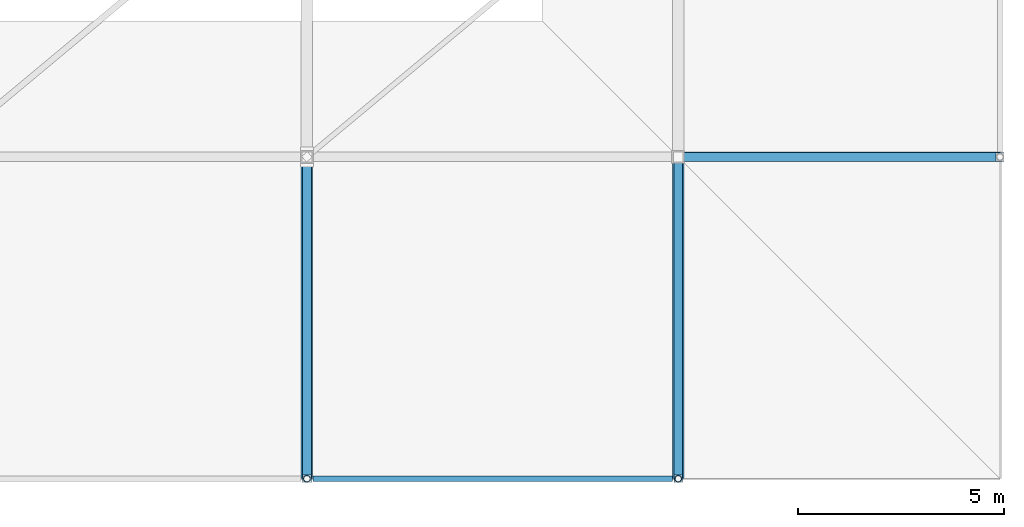
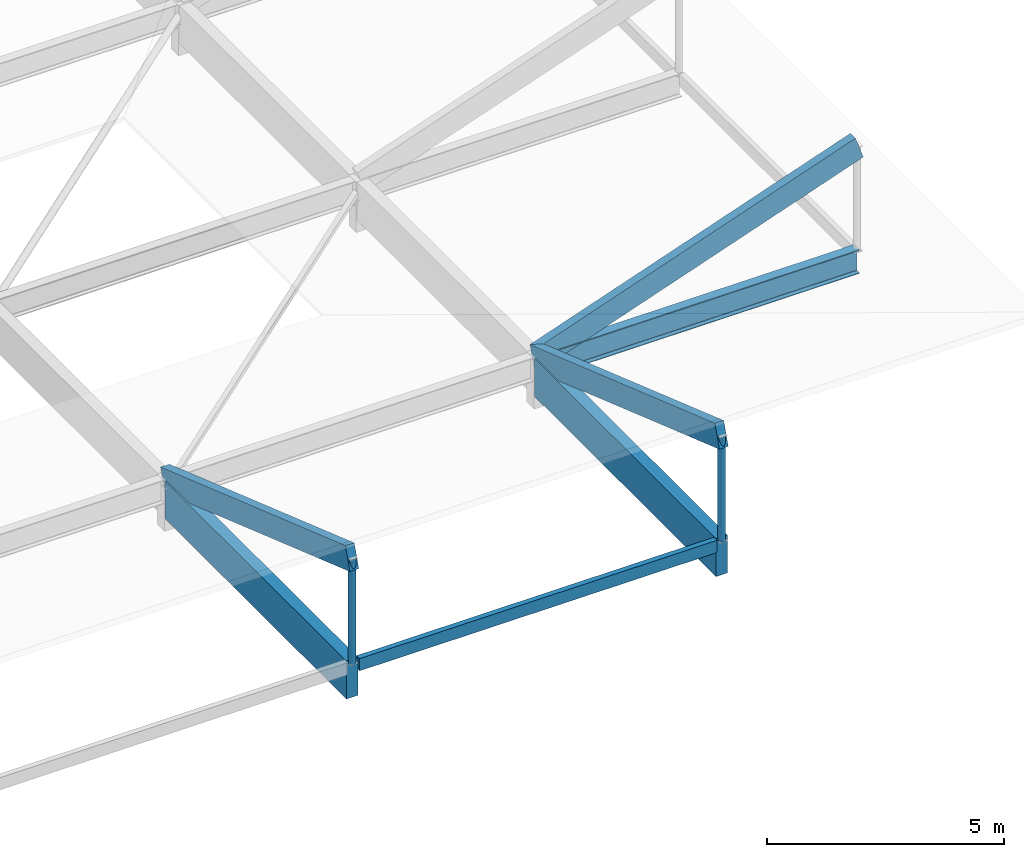
# One storey, part 11 of 19: 5 members, 4 beams.
"""IFC4 building model written with IfcOpenShell, lengths in metres."""

from ifc_helpers import new_model, si_unit, direction, frame, origin, origin_2d, place, context, subcontext, project, spatial, rectangle, hollow_circle, i_section, extrude, material, material_profile, profile_set, type_object, element, save


model = new_model("IFC4")

# Units and contexts
model_context = context("Model", 3, precision=1e-05, world=origin(), true_north=direction((0.0, 1.0)))
body_context = subcontext(model_context, "Body", "Model", "MODEL_VIEW")
ifc_project = project(units=[si_unit("LENGTHUNIT", "METRE"), si_unit("AREAUNIT", "SQUARE_METRE"), si_unit("VOLUMEUNIT", "CUBIC_METRE"), si_unit("PLANEANGLEUNIT", "RADIAN"), si_unit("MASSUNIT", "GRAM", prefix="KILO")], contexts=[model_context])

# Site, building, storey
site_placement = place(None, origin())
site = spatial("IfcSite", under=ifc_project, at=site_placement, CompositionType="ELEMENT")
building_placement = place(site_placement, origin())
building = spatial("IfcBuilding", under=site, at=building_placement, Name="Marnridge Secondary College", CompositionType="ELEMENT")
storey_placement = place(building_placement, frame((0.0, 0.0, 23.699951171875)))
storey = spatial("IfcBuildingStorey", under=building, at=storey_placement, Name="Roof Level", CompositionType="ELEMENT", Elevation=23.699951171875)

# Beams
ifc_material_1 = material(Name="Glulam timber GL18", Category="wood")
ifc_material_profile_1 = material_profile(ifc_material_1, rectangle(XDim=0.1298828125, YDim=0.31494140625, at=origin_2d()), Name="GL18 130x315")
ifc_profile_set_1 = profile_set([ifc_material_profile_1], Name="Glulam timber GL18")
beam_type_1 = type_object("IfcBeamType", Name="BM-GL315-EXT", PredefinedType="BEAM", material=ifc_profile_set_1)
beam_1_placement = place(storey_placement, frame((81.14501953125, 44.699951171875, 1.142578125), z_axis=(1.0, 0.0, 0.0), x_axis=(0.0, 1.0, 0.0)))
element("IfcBeam", 1, at=beam_1_placement, inside=storey, type_object=beam_type_1, Name="Beam BCAN-Roo-1508", PredefinedType="BEAM", context=body_context, shape_type="SweptSolid", body=[
    extrude(rectangle(XDim=0.1298828125, YDim=0.31494140625, at=origin_2d()), origin(), (0.0, 0.0, 1.0), 8.7099609375),
])
ifc_material_2 = material(Name="Glulam timber GL18", Category="wood")
ifc_material_profile_2 = material_profile(ifc_material_2, rectangle(XDim=0.280029296875, YDim=0.97998046875, at=origin_2d()), Name="GL18 280x980")
ifc_profile_set_2 = profile_set([ifc_material_profile_2], Name="Glulam timber GL18")
beam_type_2 = type_object("IfcBeamType", Name="BM-GL980-EXT", PredefinedType="BEAM", material=ifc_profile_set_2)
for number, where, z_axis, x_axis, name in (
    (2, (81.0, 52.348388671875, 0.81005859375), (0.0, -1.0, 0.0), (1.0, 0.0, 0.0), "Beam BCAN-Roo-1496"),
    (3, (90.0, 52.348388671875, 0.81005859375), (0.0, -1.0, 0.0), (1.0, 0.0, 0.0), "Beam BCAN-Roo-1499"),
):
    element("IfcBeam", number, at=place(storey_placement, frame(where, z_axis=z_axis, x_axis=x_axis)), inside=storey, type_object=beam_type_2, Name=name, PredefinedType="BEAM", context=body_context, shape_type="SweptSolid", body=[
        extrude(rectangle(XDim=0.280029296875, YDim=0.97998046875, at=origin_2d()), origin(), (0.0, 0.0, 1.0), 7.6484375),
    ])
ifc_material_3 = material(Name="Structural steel Grade 350 (AS/NZS 3679.1/.2, fy = 340-360 MPa)", Category="steel")
ifc_material_profile_3 = material_profile(ifc_material_3, i_section(OverallWidth=0.22900390625, OverallDepth=0.611572265625, WebThickness=0.011962890625, FlangeThickness=0.01953125, FilletRadius=0.013916015625, at=origin_2d()), Name="610UB125")
ifc_profile_set_3 = profile_set([ifc_material_profile_3], Name="Structural steel Grade 350 (AS/NZS 3679.1/.2, fy = 340-360 MPa)")
beam_type_3 = type_object("IfcBeamType", Name="BM-UB610-EXT", PredefinedType="BEAM", material=ifc_profile_set_3)
beam_2_placement = place(storey_placement, frame((90.151611328125, 52.5, 0.994140625), z_axis=(1.0, 0.0, 0.0), x_axis=(0.0, 1.0, 0.0)))
element("IfcBeam", 4, at=beam_2_placement, inside=storey, type_object=beam_type_3, Name="Beam BCAN-Roo-1479", PredefinedType="BEAM", context=body_context, shape_type="SweptSolid", body=[
    extrude(i_section(OverallWidth=0.22900390625, OverallDepth=0.611572265625, WebThickness=0.011962890625, FlangeThickness=0.01953125, FilletRadius=0.013916015625, at=origin_2d()), origin(), (0.0, 0.0, 1.0), 7.6484375),
])

# Members
ifc_material_4 = material(Name="Cold-formed steel Grade C350L0 (AS/NZS 1163, fy = 350 MPa)", Category="steel")
ifc_material_profile_4 = material_profile(ifc_material_4, hollow_circle(Radius=0.084228515625, WallThickness=0.00634765625, at=origin_2d()), Name="168.3x6.4CHS")
ifc_profile_set_4 = profile_set([ifc_material_profile_4], Name="Cold-formed steel Grade C350L0 (AS/NZS 1163, fy = 350 MPa)")
member_type_1 = type_object("IfcMemberType", Name="MB-BR-CHS168E", PredefinedType="BRACE", material=ifc_profile_set_4)
for number, where, z_axis, x_axis, name in (
    (5, (81.0, 44.699951171875, 1.219970703125), (0.0, 0.0, 1.0), (1.0, 0.0, 0.0), "Canopy eave web strut MCAN-007"),
    (6, (90.0, 44.699951171875, 1.219970703125), (0.0, 0.0, 1.0), (1.0, 0.0, 0.0), "Canopy eave web strut MCAN-009"),
):
    element("IfcMember", number, at=place(storey_placement, frame(where, z_axis=z_axis, x_axis=x_axis)), inside=storey, type_object=member_type_1, Name=name, PredefinedType="BRACE", context=body_context, shape_type="SweptSolid", body=[
        extrude(hollow_circle(Radius=0.084228515625, WallThickness=0.00634765625, at=origin_2d()), origin(), (0.0, 0.0, 1.0), 2.705078125),
    ])
ifc_material_5 = material(Name="Glulam timber GL18", Category="wood")
ifc_material_profile_5 = material_profile(ifc_material_5, rectangle(XDim=0.215087890625, YDim=0.5849609375, at=origin_2d()), Name="GL18 215x585")
ifc_profile_set_5 = profile_set([ifc_material_profile_5], Name="Glulam timber GL18")
member_type_2 = type_object("IfcMemberType", Name="MB-GS-GL585", PredefinedType="CHORD", material=ifc_profile_set_5)
for number, where, z_axis, x_axis, name in (
    (7, (81.0, 52.5, 1.219970703125), (0.0, -0.944796411745, 0.327657962444), (1.0, 0.0, 0.0), "Canopy overhang truss chord MCR-007"),
    (8, (90.0, 52.5, 1.219970703125), (0.0, -0.944796411745, 0.327657962444), (1.0, 0.0, 0.0), "Canopy overhang truss chord MCR-009"),
    (9, (90.0, 52.5, 1.219970703125), (0.944796411745, 0.0, 0.327657962444), (0.0, 1.0, 0.0), "Canopy overhang truss chord MCR-012"),
):
    element("IfcMember", number, at=place(storey_placement, frame(where, z_axis=z_axis, x_axis=x_axis)), inside=storey, type_object=member_type_2, Name=name, PredefinedType="CHORD", context=body_context, shape_type="SweptSolid", body=[
        extrude(rectangle(XDim=0.215087890625, YDim=0.5849609375, at=origin_2d()), origin(), (0.0, 0.0, 1.0), 8.255859375),
    ])

save(model, "model.ifc")
